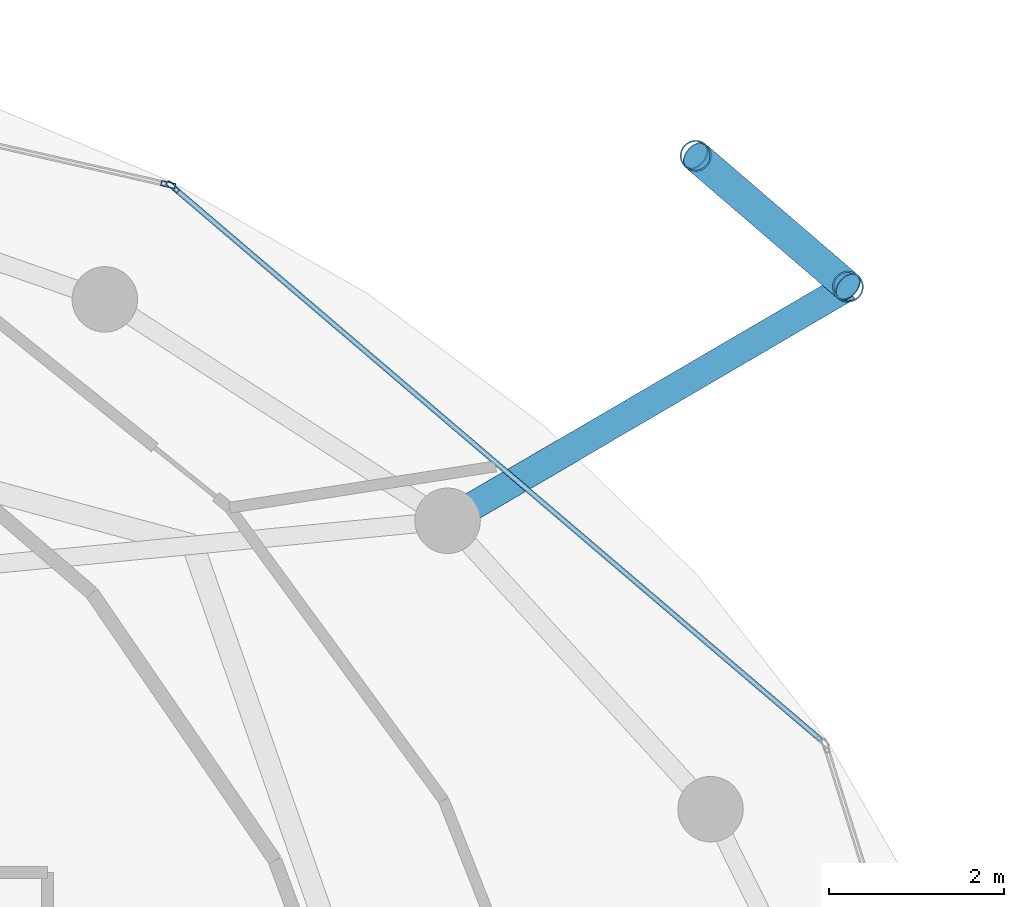
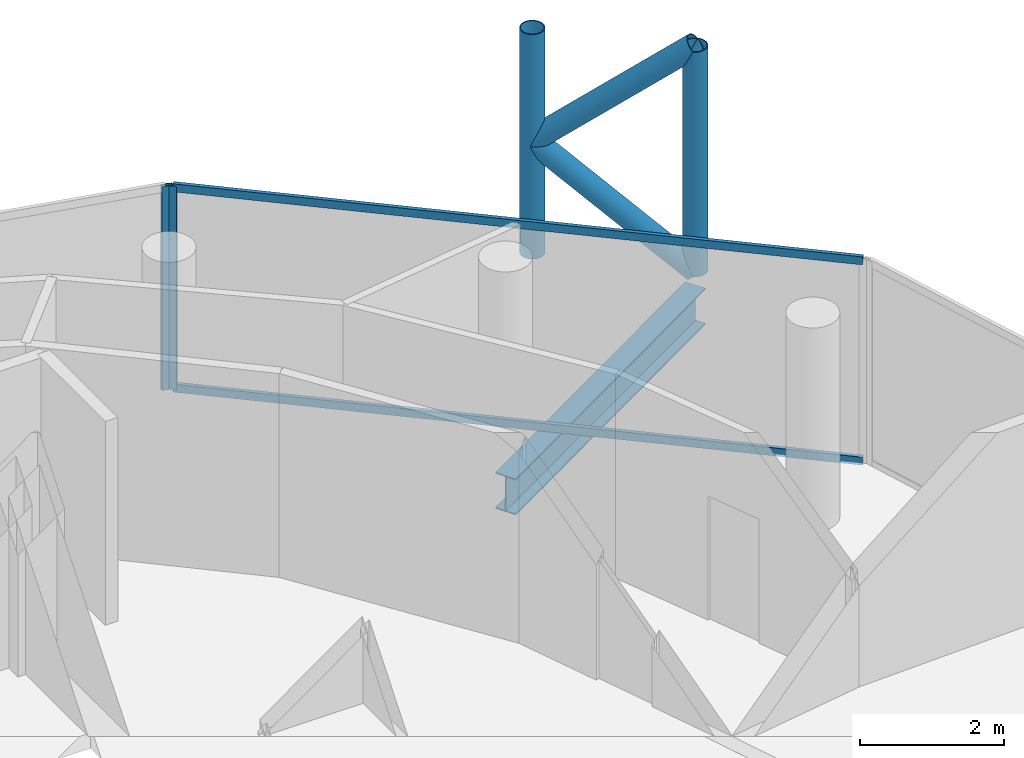
# One storey, part 18 of 24: 8 members, 1 beam, 2 elements without a shape of their own.
"""IFC4 building model written with IfcOpenShell, lengths in metres."""

from ifc_helpers import new_model, si_unit, direction, frame, origin, origin_2d, place, context, subcontext, project, spatial, hollow_rectangle, hollow_circle, i_section, extrude, material, layer, layer_set, material_profile, profile_set, type_object, element, aggregate, save


model = new_model("IFC4")

# Units and contexts
model_context = context("Model", 3, precision=1e-05, world=origin(), true_north=direction((0.0, 1.0)))
body_context = subcontext(model_context, "Body", "Model", "MODEL_VIEW")
ifc_project = project(units=[si_unit("LENGTHUNIT", "METRE"), si_unit("AREAUNIT", "SQUARE_METRE"), si_unit("VOLUMEUNIT", "CUBIC_METRE"), si_unit("PLANEANGLEUNIT", "RADIAN"), si_unit("MASSUNIT", "GRAM", prefix="KILO")], contexts=[model_context])

# Site, building, storey
site_placement = place(None, origin())
site = spatial("IfcSite", under=ifc_project, at=site_placement, CompositionType="ELEMENT")
building_placement = place(site_placement, origin())
building = spatial("IfcBuilding", under=site, at=building_placement, Name="Nuhasar Tower", CompositionType="ELEMENT")
storey_placement = place(building_placement, frame((0.0, 0.0, 297.39990234375)))
storey = spatial("IfcBuildingStorey", under=building, at=storey_placement, Name="L74", CompositionType="ELEMENT", Elevation=297.39990234375)

# Beam
ifc_material_1 = material(Name="Steel S355", Category="steel")
ifc_material_profile_1 = material_profile(ifc_material_1, i_section(OverallWidth=0.323974609375, OverallDepth=0.611083984375, WebThickness=0.0126953125, FlangeThickness=0.01904296875, at=origin_2d()), Name="W24X104")
ifc_profile_set_1 = profile_set([ifc_material_profile_1], Name="Steel S355")
beam_type = type_object("IfcBeamType", Name="BM-TIE-W24X104", PredefinedType="BEAM", material=ifc_profile_set_1)
beam_placement = place(storey_placement, frame((52.39990234375, 38.077880859375, -0.56591796875), z_axis=(0.863271521286, 0.504739814693, 0.0), x_axis=(-0.504739814693, 0.863271521286, 0.0)))
element("IfcBeam", 1, at=beam_placement, inside=storey, type_object=beam_type, Name="L74 Exoskeleton Node Tie Beam 02", PredefinedType="BEAM", context=body_context, shape_type="SweptSolid", body=[
    extrude(i_section(OverallWidth=0.323974609375, OverallDepth=0.611083984375, WebThickness=0.0126953125, FlangeThickness=0.01904296875, at=origin_2d()), origin(), (0.0, 0.0, 1.0), 5.31005859375),
])

# Curtain wall, member
ifc_material_2 = material(Name="Aluminium 6063-T6", Category="aluminium")
ifc_layer = layer(ifc_material_2, 0.18994140625)
ifc_layer_set = layer_set([ifc_layer], Name="Aluminium 6063-T6")
curtain_wall_type = type_object("IfcCurtainWallType", Name="CW-Z4-PEN", PredefinedType="NOTDEFINED", material=ifc_layer_set)
curtain_wall_1_placement = place(storey_placement, origin())
curtain_wall_1 = element("IfcCurtainWall", 2, at=curtain_wall_1_placement, inside=storey, type_object=curtain_wall_type, Name="L74 Unitised Curtain Wall 02", PredefinedType="NOTDEFINED")
ifc_material_profile_2 = material_profile(ifc_material_2, hollow_rectangle(XDim=0.06005859375, YDim=0.1650390625, WallThickness=0.0048828125, at=origin_2d()), Name="CWM-5")
ifc_profile_set_2 = profile_set([ifc_material_profile_2], Name="Aluminium 6063-T6")
member_type_1 = type_object("IfcMemberType", Name="CW-MUL-S5", PredefinedType="MULLION", material=ifc_profile_set_2)
member_1_placement = place(storey_placement, frame((49.2529296875, 41.901611328125, 0.0), z_axis=(0.0, 0.0, 1.0), x_axis=(-0.649141996205, -0.760667252327, 0.0)))
member_1 = element("IfcMember", 3, at=member_1_placement, type_object=member_type_1, Name="CW-Z4 mullion 2", PredefinedType="MULLION", context=body_context, shape_type="SweptSolid", body=[
    extrude(hollow_rectangle(XDim=0.06005859375, YDim=0.1650390625, WallThickness=0.0048828125, at=origin_2d()), origin(), (0.0, 0.0, 1.0), 3.4501953125),
])

curtain_wall_2_placement = place(storey_placement, origin())
curtain_wall_2 = element("IfcCurtainWall", 4, at=curtain_wall_2_placement, inside=storey, type_object=curtain_wall_type, Name="L74 Unitised Curtain Wall 03", PredefinedType="NOTDEFINED")
member_2_placement = place(storey_placement, frame((49.20068359375, 41.927734375, 0.0), z_axis=(0.0, 0.0, 1.0), x_axis=(-0.222889487645, -0.97484371891, 0.0)))
member_2 = element("IfcMember", 5, at=member_2_placement, type_object=member_type_1, Name="CW-Z4 mullion 1", PredefinedType="MULLION", context=body_context, shape_type="SweptSolid", body=[
    extrude(hollow_rectangle(XDim=0.06005859375, YDim=0.1650390625, WallThickness=0.0048828125, at=origin_2d()), origin(), (0.0, 0.0, 1.0), 3.4501953125),
])
aggregate(curtain_wall_2, [member_2])

# Member
ifc_material_profile_3 = material_profile(ifc_material_2, hollow_rectangle(XDim=0.06005859375, YDim=0.135009765625, WallThickness=0.00439453125, at=origin_2d()), Name="CWT-5")
ifc_profile_set_3 = profile_set([ifc_material_profile_3], Name="Aluminium 6063-T6")
member_type_2 = type_object("IfcMemberType", Name="CW-TRN-S5", PredefinedType="USERDEFINED", material=ifc_profile_set_3)
member_3_placement = place(storey_placement, frame((56.67333984375, 35.56884765625, 0.030029296875), z_axis=(-0.760660035709, 0.649150452573, 0.0), x_axis=(-0.649150452573, -0.760660035709, 0.0)))
member_3 = element("IfcMember", 6, at=member_3_placement, type_object=member_type_2, Name="CW-Z4 transom 1.1", ObjectType="TRANSOM", PredefinedType="USERDEFINED", context=body_context, shape_type="SweptSolid", body=[
    extrude(hollow_rectangle(XDim=0.06005859375, YDim=0.135009765625, WallThickness=0.00439453125, at=origin_2d()), origin(), (0.0, 0.0, 1.0), 9.725341796875),
])

member_4_placement = place(storey_placement, frame((56.67333984375, 35.56884765625, 3.420166015625), z_axis=(-0.760660035709, 0.649150452573, 0.0), x_axis=(-0.649150452573, -0.760660035709, 0.0)))
member_4 = element("IfcMember", 7, at=member_4_placement, type_object=member_type_2, Name="CW-Z4 transom 1.2", ObjectType="TRANSOM", PredefinedType="USERDEFINED", context=body_context, shape_type="SweptSolid", body=[
    extrude(hollow_rectangle(XDim=0.06005859375, YDim=0.135009765625, WallThickness=0.00439453125, at=origin_2d()), origin(), (0.0, 0.0, 1.0), 9.725341796875),
])

aggregate(curtain_wall_1, [member_1, member_3, member_4])

# Members
ifc_material_3 = material(Name="Steel S460", Category="steel")
ifc_material_profile_4 = material_profile(ifc_material_3, hollow_circle(Radius=0.177734375, WallThickness=0.015869140625, at=origin_2d()), Name="HSS355.6X15.9")
ifc_profile_set_4 = profile_set([ifc_material_profile_4], Name="Steel S460")
member_type_3 = type_object("IfcMemberType", Name="EXO-BRONZE-356", PredefinedType="BRACE", material=ifc_profile_set_4)
for number, where, z_axis, x_axis, name in (
    (8, (56.98388671875, 40.758056640625, 0.0), (0.0, 0.0, 1.0), (1.0, 0.0, 0.0), "L74 Exoskeleton Chord Column EC-02A"),
    (9, (55.239990234375, 42.257080078125, 0.0), (0.0, 0.0, 1.0), (1.0, 0.0, 0.0), "L74 Exoskeleton Chord Column EC-02B"),
):
    element("IfcMember", number, at=place(storey_placement, frame(where, z_axis=z_axis, x_axis=x_axis)), inside=storey, type_object=member_type_3, Name=name, PredefinedType="BRACE", context=body_context, shape_type="SweptSolid", body=[
        extrude(hollow_circle(Radius=0.177734375, WallThickness=0.015869140625, at=origin_2d()), origin(), (0.0, 0.0, 1.0), 3.800048828125),
    ])
member_5_placement = place(storey_placement, frame((56.98388671875, 40.758056640625, 0.0), z_axis=(-0.584594747408, 0.50250759472, 0.636973389203), x_axis=(-0.65185738425, -0.758341579104, 0.0)))
element("IfcMember", 10, at=member_5_placement, inside=storey, type_object=member_type_3, Name="L74 Bronze Diagrid Brace W1-02", PredefinedType="BRACE", context=body_context, shape_type="SweptSolid", body=[
    extrude(hollow_circle(Radius=0.177734375, WallThickness=0.015869140625, at=origin_2d()), origin(), (0.0, 0.0, 1.0), 2.983154296875),
])
member_6_placement = place(storey_placement, frame((55.239990234375, 42.257080078125, 1.900146484375), z_axis=(0.584625223306, -0.502533791278, 0.636924749792), x_axis=(0.65185738425, 0.758341579104, 0.0)))
element("IfcMember", 11, at=member_6_placement, inside=storey, type_object=member_type_3, Name="L74 Bronze Diagrid Brace W2-02", PredefinedType="BRACE", context=body_context, shape_type="SweptSolid", body=[
    extrude(hollow_circle(Radius=0.177734375, WallThickness=0.015869140625, at=origin_2d()), origin(), (0.0, 0.0, 1.0), 2.98291015625),
])

save(model, "model.ifc")
